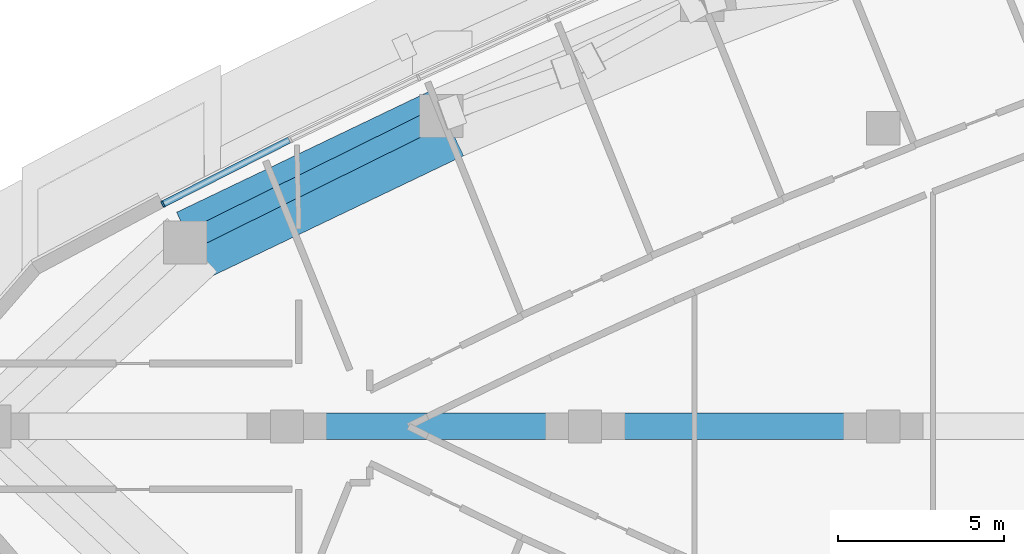
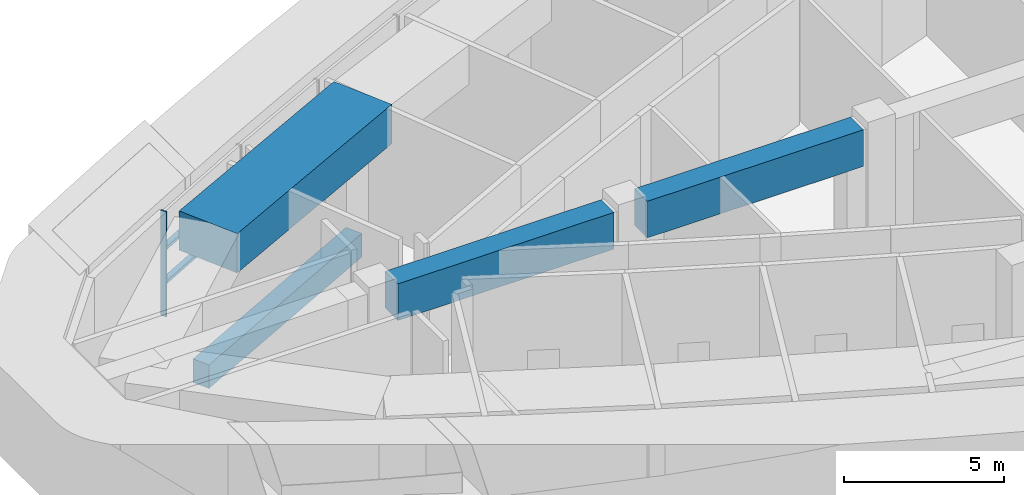
# One storey, part 3 of 17: 4 beams, 3 members, 1 element without a shape of its own.
"""IFC4 building model written with IfcOpenShell, lengths in metres."""

from ifc_helpers import new_model, si_unit, direction, frame, origin, origin_2d, place, context, subcontext, project, spatial, rectangle, extrude, material, layer, layer_set, material_profile, profile_set, type_object, element, aggregate, save


model = new_model("IFC4")

# Units and contexts
model_context = context("Model", 3, precision=1e-05, world=origin(), true_north=direction((0.0, 1.0)))
body_context = subcontext(model_context, "Body", "Model", "MODEL_VIEW")
ifc_project = project(units=[si_unit("LENGTHUNIT", "METRE"), si_unit("AREAUNIT", "SQUARE_METRE"), si_unit("VOLUMEUNIT", "CUBIC_METRE"), si_unit("PLANEANGLEUNIT", "RADIAN"), si_unit("MASSUNIT", "GRAM", prefix="KILO")], contexts=[model_context])

# Site, building, storey
site_placement = place(None, origin())
site = spatial("IfcSite", under=ifc_project, at=site_placement, CompositionType="ELEMENT")
building_placement = place(site_placement, origin())
building = spatial("IfcBuilding", under=site, at=building_placement, Name="Ostrand Prow Hotel Tower", CompositionType="ELEMENT")
storey_placement = place(building_placement, frame((0.0, 0.0, 211.0)))
storey = spatial("IfcBuildingStorey", under=building, at=storey_placement, Name="L53", CompositionType="ELEMENT", Elevation=211.0)

# Beams
ifc_material_1 = material(Name="Concrete C60/75", Category="concrete")
ifc_material_profile_1 = material_profile(ifc_material_1, rectangle(XDim=2.199951171875, YDim=1.5, at=origin_2d()), Name="RC 2200x1500")
ifc_profile_set_1 = profile_set([ifc_material_profile_1], Name="Concrete C60/75")
beam_type_1 = type_object("IfcBeamType", Name="Belt girder 2200x1500 C60/75", PredefinedType="BEAM", material=ifc_profile_set_1)
beam_1_placement = place(storey_placement, frame((20.85791015625, 9.165283203125, 4.14990234375), z_axis=(-0.901995068169, -0.431746334088, 0.0), x_axis=(0.431746334088, -0.901995068169, 0.0)))
element("IfcBeam", 1, at=beam_1_placement, inside=storey, type_object=beam_type_1, Name="Belt girder N5-N6", PredefinedType="BEAM", context=body_context, shape_type="SweptSolid", body=[
    extrude(rectangle(XDim=2.199951171875, YDim=1.5, at=origin_2d()), origin(), (0.0, 0.0, 1.0), 8.553955078125),
])
ifc_material_2 = material(Name="Concrete C60/75", Category="concrete")
ifc_material_profile_2 = material_profile(ifc_material_2, rectangle(XDim=0.60009765625, YDim=0.89990234375, at=origin_2d()), Name="RC 600x900")
ifc_profile_set_2 = profile_set([ifc_material_profile_2], Name="Concrete C60/75")
beam_type_2 = type_object("IfcBeamType", Name="Edge beam 600x900 C60/75", PredefinedType="SPANDREL", material=ifc_profile_set_2)
beam_2_placement = place(storey_placement, frame((20.656982421875, 9.373291015625, -0.85009765625), z_axis=(-0.896383774903, -0.443278837856, 0.0), x_axis=(0.443278837856, -0.896383774903, 0.0)))
element("IfcBeam", 2, at=beam_2_placement, inside=storey, type_object=beam_type_2, Name="Edge beam N5-N6", PredefinedType="SPANDREL", context=body_context, shape_type="SweptSolid", body=[
    extrude(rectangle(XDim=0.60009765625, YDim=0.89990234375, at=origin_2d()), origin(), (0.0, 0.0, 1.0), 8.62158203125),
])

# Curtain wall, member
ifc_material_3 = material(Name="Insulated glass in bronze anodised frame", Category="glass")
ifc_layer = layer(ifc_material_3, 0.199951171875)
ifc_layer_set = layer_set([ifc_layer], Name="Insulated glass in bronze anodised frame")
curtain_wall_type = type_object("IfcCurtainWallType", Name="Plant storey louvre wall", PredefinedType="NOTDEFINED", material=ifc_layer_set)
curtain_wall_placement = place(storey_placement, origin())
curtain_wall = element("IfcCurtainWall", 3, at=curtain_wall_placement, inside=storey, type_object=curtain_wall_type, Name="CW7 run CWN5", PredefinedType="NOTDEFINED")
ifc_material_4 = material(Name="Bronze anodised aluminium", Category="aluminium")
ifc_material_profile_3 = material_profile(ifc_material_4, rectangle(XDim=0.199951171875, YDim=0.06005859375, at=origin_2d()), Name="Mullion 60x200 bronze anodised aluminium")
ifc_profile_set_3 = profile_set([ifc_material_profile_3], Name="Bronze anodised aluminium")
member_type_1 = type_object("IfcMemberType", Name="Mullion 60x200 bronze anodised aluminium", PredefinedType="MULLION", material=ifc_profile_set_3)
member_1_placement = place(storey_placement, frame((12.255859375, 6.71240234375, 0.89990234375), z_axis=(0.0, 0.0, 1.0), x_axis=(0.452658828186, -0.891683792196, 0.0)))
member_1 = element("IfcMember", 4, at=member_1_placement, type_object=member_type_1, Name="CW7 mullion 3", PredefinedType="MULLION", context=body_context, shape_type="SweptSolid", body=[
    extrude(rectangle(XDim=0.199951171875, YDim=0.06005859375, at=origin_2d()), origin(), (0.0, 0.0, 1.0), 4.0),
])

# Beams
ifc_material_5 = material(Name="Concrete C60/75", Category="concrete")
ifc_material_profile_4 = material_profile(ifc_material_5, rectangle(XDim=0.800048828125, YDim=1.39990234375, at=origin_2d()), Name="RC 800x1400")
ifc_profile_set_4 = profile_set([ifc_material_profile_4], Name="Concrete C60/75")
beam_type_3 = type_object("IfcBeamType", Name="Outrigger lintel 800x1400 C60/75", PredefinedType="LINTEL", material=ifc_profile_set_4)
for number, where, z_axis, x_axis, name in (
    (5, (16.60009765625, 0.0, 4.199951171875), (1.0, 0.0, 0.0), (0.0, 1.0, 0.0), "Outrigger lintel A2"),
    (6, (25.60009765625, 0.0, 4.199951171875), (1.0, 0.0, 0.0), (0.0, 1.0, 0.0), "Outrigger lintel A3"),
):
    element("IfcBeam", number, at=place(storey_placement, frame(where, z_axis=z_axis, x_axis=x_axis)), inside=storey, type_object=beam_type_3, Name=name, PredefinedType="LINTEL", context=body_context, shape_type="SweptSolid", body=[
        extrude(rectangle(XDim=0.800048828125, YDim=1.39990234375, at=origin_2d()), origin(), (0.0, 0.0, 1.0), 7.7998046875),
    ])

# Member
ifc_material_6 = material(Name="Bronze anodised aluminium", Category="aluminium")
ifc_material_profile_5 = material_profile(ifc_material_6, rectangle(XDim=0.199951171875, YDim=0.1201171875, at=origin_2d()), Name="Transom 120x200 bronze anodised aluminium")
ifc_profile_set_5 = profile_set([ifc_material_profile_5], Name="Bronze anodised aluminium")
member_type_2 = type_object("IfcMemberType", Name="Transom 120x200 bronze anodised aluminium", PredefinedType="USERDEFINED", material=ifc_profile_set_5)
member_2_placement = place(storey_placement, frame((16.06787109375, 8.6474609375, 2.199951171875), z_axis=(-0.891672840777, -0.452680400526, 0.0), x_axis=(0.452680400526, -0.891672840777, 0.0)))
member_2 = element("IfcMember", 7, at=member_2_placement, type_object=member_type_2, Name="CW7 transom 2.1", ObjectType="TRANSOM", PredefinedType="USERDEFINED", context=body_context, shape_type="SweptSolid", body=[
    extrude(rectangle(XDim=0.199951171875, YDim=0.1201171875, at=origin_2d()), origin(), (0.0, 0.0, 1.0), 4.2451171875),
])

member_3_placement = place(storey_placement, frame((16.06787109375, 8.6474609375, 3.5), z_axis=(-0.891672840777, -0.452680400526, 0.0), x_axis=(0.452680400526, -0.891672840777, 0.0)))
member_3 = element("IfcMember", 8, at=member_3_placement, type_object=member_type_2, Name="CW7 transom 2.2", ObjectType="TRANSOM", PredefinedType="USERDEFINED", context=body_context, shape_type="SweptSolid", body=[
    extrude(rectangle(XDim=0.199951171875, YDim=0.1201171875, at=origin_2d()), origin(), (0.0, 0.0, 1.0), 4.2451171875),
])

aggregate(curtain_wall, [member_1, member_2, member_3])

save(model, "model.ifc")
